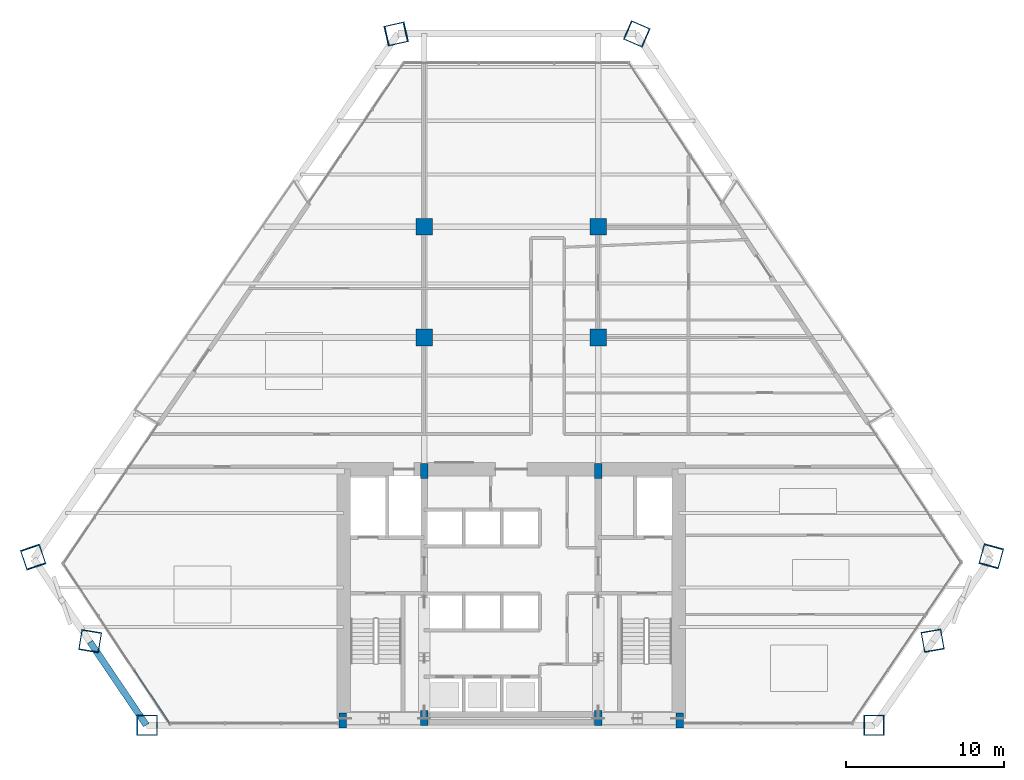
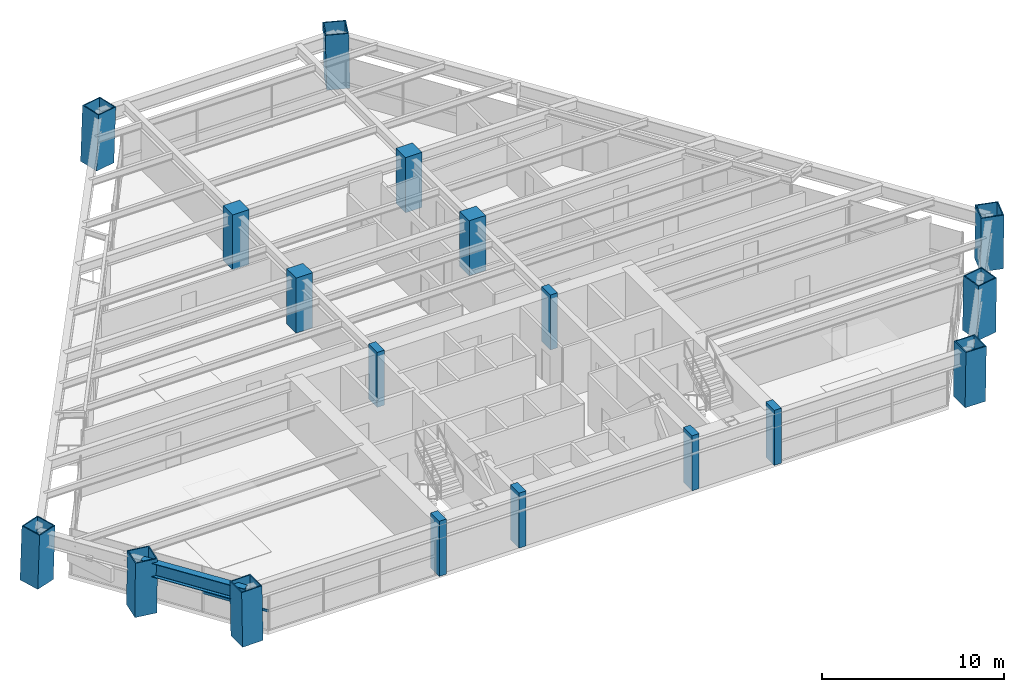
# One storey, part 1 of 15: 18 columns, 1 beam, 1 member, 1 element without a shape of its own.
"""IFC4 building model written with IfcOpenShell, lengths in metres."""

from ifc_helpers import new_model, si_unit, direction, frame, origin, origin_2d, place, context, subcontext, project, spatial, rectangle, hollow_rectangle, i_section, extrude, source, transform, mapped, material, material_profile, profile_set, type_object, element, aggregate, save


model = new_model("IFC4")

# Units and contexts
model_context = context("Model", 3, precision=1e-05, world=origin(), true_north=direction((0.0, 1.0)))
body_context = subcontext(model_context, "Body", "Model", "MODEL_VIEW")
ifc_project = project(units=[si_unit("LENGTHUNIT", "METRE"), si_unit("AREAUNIT", "SQUARE_METRE"), si_unit("VOLUMEUNIT", "CUBIC_METRE"), si_unit("PLANEANGLEUNIT", "RADIAN"), si_unit("MASSUNIT", "GRAM", prefix="KILO")], contexts=[model_context])

# Site, building, storey
site_placement = place(None, origin())
site = spatial("IfcSite", under=ifc_project, at=site_placement, CompositionType="ELEMENT")
building_placement = place(site_placement, origin())
building = spatial("IfcBuilding", under=site, at=building_placement, Name="Varnakhor Terracotta Tower", CompositionType="ELEMENT")
storey_placement = place(building_placement, frame((0.0, 0.0, 57.10009765625)))
storey = spatial("IfcBuildingStorey", under=building, at=storey_placement, Name="L13", CompositionType="ELEMENT", Elevation=57.10009765625)

# Columns
ifc_material_1 = material(Name="Concrete C50/60", Category="concrete")
ifc_material_profile_1 = material_profile(ifc_material_1, rectangle(XDim=0.449951171875, YDim=0.949951171875, at=origin_2d()), Name="RC PILASTER 950x450")
ifc_profile_set_1 = profile_set([ifc_material_profile_1], Name="Concrete C50/60")
column_type_1 = type_object("IfcColumnType", Name="COL-PIL-950x450", PredefinedType="PILASTER", material=ifc_profile_set_1)
shared_shape_1 = source(origin(), body_context, "Body", "SweptSolid", [
    extrude(rectangle(XDim=0.449951171875, YDim=0.949951171875, at=origin_2d()), origin(), (0.0, 0.0, 1.0), 3.699951171875),
])
for number, where, z_axis, x_axis, name in (
    (1, (-10.64990234375, 0.300048828125, 0.0), (0.0, 0.0, 1.0), (1.0, 0.0, 0.0), "L13 Core Pilaster CP1"),
    (2, (-5.5, 0.449951171875, 0.0), (0.0, 0.0, 1.0), (1.0, 0.0, 0.0), "L13 Core Pilaster CP2"),
    (3, (5.5, 0.449951171875, 0.0), (0.0, 0.0, 1.0), (1.0, 0.0, 0.0), "L13 Core Pilaster CP3"),
    (4, (10.64990234375, 0.300048828125, 0.0), (0.0, 0.0, 1.0), (1.0, 0.0, 0.0), "L13 Core Pilaster CP4"),
    (5, (-5.5, 16.050048828125, 0.0), (0.0, 0.0, 1.0), (1.0, 0.0, 0.0), "L13 Core Pilaster CP5"),
    (6, (5.5, 16.050048828125, 0.0), (0.0, 0.0, 1.0), (1.0, 0.0, 0.0), "L13 Core Pilaster CP6"),
):
    element("IfcColumn", number, at=place(storey_placement, frame(where, z_axis=z_axis, x_axis=x_axis)), inside=storey, type_object=column_type_1, Name=name, PredefinedType="PILASTER", context=body_context, shape_type="MappedRepresentation", body=[
        mapped(shared_shape_1, transform((0.0, 0.0, 0.0), scale=1.0)),
    ])
ifc_material_2 = material(Name="Steel S460", Category="steel")
ifc_material_profile_2 = material_profile(ifc_material_2, hollow_rectangle(XDim=1.300048828125, YDim=1.300048828125, WallThickness=0.06494140625, at=origin_2d()), Name="BOX 1300x1300x65")
ifc_profile_set_2 = profile_set([ifc_material_profile_2], Name="Steel S460")
column_type_2 = type_object("IfcColumnType", Name="COL-MEGA-1300", PredefinedType="COLUMN", material=ifc_profile_set_2)
shared_shape_2 = source(origin(), body_context, "Body", "SweptSolid", [
    extrude(hollow_rectangle(XDim=1.300048828125, YDim=1.300048828125, WallThickness=0.06494140625, at=origin_2d()), origin(), (0.0, 0.0, 1.0), 3.691650390625),
])
for number, where, z_axis, x_axis, name in (
    (7, (-22.998046875, 0.0, 0.00439453125), (-0.017392699084, 0.0, 0.999848735569), (0.0, -1.0, 0.0), "L13 Perimeter Mega-Column M1"),
    (8, (22.92138671875, 0.0, 0.00439453125), (0.014880288943, 0.0, 0.999889282371), (0.0, 1.0, 0.0), "L13 Perimeter Mega-Column M2"),
    (9, (26.63232421875, 5.347900390625, 0.00439453125), (0.002909838461, -0.016467040384, 0.999860174935), (0.984743719612, 0.174010938405, 0.0), "L13 Perimeter Mega-Column M3"),
    (10, (-26.610107421875, 5.320068359375, 0.00439453125), (-0.00284365846, -0.017458740311, 0.999843540757), (0.98699347795, -0.160760301333, 0.0), "L13 Perimeter Mega-Column M8"),
):
    element("IfcColumn", number, at=place(storey_placement, frame(where, z_axis=z_axis, x_axis=x_axis)), inside=storey, type_object=column_type_2, Name=name, PredefinedType="COLUMN", context=body_context, shape_type="MappedRepresentation", body=[
        mapped(shared_shape_2, transform((0.0, 0.0, 0.0), scale=1.0)),
    ])
shared_shape_3 = source(origin(), body_context, "Body", "SweptSolid", [
    extrude(hollow_rectangle(XDim=1.300048828125, YDim=1.300048828125, WallThickness=0.06494140625, at=origin_2d()), origin(), (0.0, 0.0, 1.0), 3.693359375),
])
column_1_placement = place(storey_placement, frame((30.343505859375, 10.696044921875, 0.00439453125), z_axis=(-0.009122220946, -0.033051525168, 0.999412018023), x_axis=(0.963958525566, -0.266052553056, 0.0)))
element("IfcColumn", 11, at=column_1_placement, inside=storey, type_object=column_type_2, Name="L13 Perimeter Mega-Column M4", PredefinedType="COLUMN", context=body_context, shape_type="MappedRepresentation", body=[
    mapped(shared_shape_3, transform((0.0, 0.0, 0.0), scale=1.0)),
])
ifc_material_3 = material(Name="Concrete C60/75", Category="concrete")
ifc_material_profile_3 = material_profile(ifc_material_3, rectangle(XDim=1.050048828125, YDim=1.050048828125, at=origin_2d()), Name="RC 1050x1050")
ifc_profile_set_3 = profile_set([ifc_material_profile_3], Name="Concrete C60/75")
column_type_3 = type_object("IfcColumnType", Name="COL-RC-1050", PredefinedType="COLUMN", material=ifc_profile_set_3)
shared_shape_4 = source(origin(), body_context, "Body", "SweptSolid", [
    extrude(rectangle(XDim=1.050048828125, YDim=1.050048828125, at=origin_2d()), origin(), (0.0, 0.0, 1.0), 3.699951171875),
])
for number, where, z_axis, x_axis, name in (
    (12, (-5.5, 24.5, 0.0), (0.0, 0.0, 1.0), (1.0, 0.0, 0.0), "L13 Interior Tower Column IC1"),
    (13, (5.5, 24.5, 0.0), (0.0, 0.0, 1.0), (1.0, 0.0, 0.0), "L13 Interior Tower Column IC2"),
    (14, (-5.5, 31.5, 0.0), (0.0, 0.0, 1.0), (1.0, 0.0, 0.0), "L13 Interior Tower Column IC3"),
    (15, (5.5, 31.5, 0.0), (0.0, 0.0, 1.0), (1.0, 0.0, 0.0), "L13 Interior Tower Column IC4"),
):
    element("IfcColumn", number, at=place(storey_placement, frame(where, z_axis=z_axis, x_axis=x_axis)), inside=storey, type_object=column_type_3, Name=name, PredefinedType="COLUMN", context=body_context, shape_type="MappedRepresentation", body=[
        mapped(shared_shape_4, transform((0.0, 0.0, 0.0), scale=1.0)),
    ])
shared_shape_5 = source(origin(), body_context, "Body", "SweptSolid", [
    extrude(hollow_rectangle(XDim=1.300048828125, YDim=1.300048828125, WallThickness=0.06494140625, at=origin_2d()), origin(), (0.0, 0.0, 1.0), 3.692138671875),
])
column_2_placement = place(storey_placement, frame((7.948486328125, 43.68017578125, 0.00439453125), z_axis=(-0.020234518846, 0.008728615973, 0.999757158269), x_axis=(-0.396091111435, -0.918211212871, 0.0)))
element("IfcColumn", 16, at=column_2_placement, inside=storey, type_object=column_type_2, Name="L13 Perimeter Mega-Column M5", PredefinedType="COLUMN", context=body_context, shape_type="MappedRepresentation", body=[
    mapped(shared_shape_5, transform((0.0, 0.0, 0.0), scale=1.0)),
])
shared_shape_6 = source(origin(), body_context, "Body", "SweptSolid", [
    extrude(hollow_rectangle(XDim=1.300048828125, YDim=1.300048828125, WallThickness=0.06494140625, at=origin_2d()), origin(), (0.0, 0.0, 1.0), 3.693603515625),
])
column_3_placement = place(storey_placement, frame((-30.222412109375, 10.64013671875, 0.00439453125), z_axis=(0.011831366052, -0.034899225002, 0.99932080078), x_axis=(0.947056635695, 0.321066548844, 0.0)))
element("IfcColumn", 17, at=column_3_placement, inside=storey, type_object=column_type_2, Name="L13 Perimeter Mega-Column M7", PredefinedType="COLUMN", context=body_context, shape_type="MappedRepresentation", body=[
    mapped(shared_shape_6, transform((0.0, 0.0, 0.0), scale=1.0)),
])
shared_shape_7 = source(origin(), body_context, "Body", "SweptSolid", [
    extrude(hollow_rectangle(XDim=1.300048828125, YDim=1.300048828125, WallThickness=0.06494140625, at=origin_2d()), origin(), (0.0, 0.0, 1.0), 3.694091796875),
])
column_4_placement = place(storey_placement, frame((-7.2958984375, 43.68017578125, 0.00439453125), z_axis=(0.038596640335, 0.008723898158, 0.999216789769), x_axis=(-0.220465920379, 0.975394678041, 0.0)))
element("IfcColumn", 18, at=column_4_placement, inside=storey, type_object=column_type_2, Name="L13 Perimeter Mega-Column M6", PredefinedType="COLUMN", context=body_context, shape_type="MappedRepresentation", body=[
    mapped(shared_shape_7, transform((0.0, 0.0, 0.0), scale=1.0)),
])

# Beam
ifc_material_4 = material(Name="Steel S355", Category="steel")
ifc_material_profile_4 = material_profile(ifc_material_4, i_section(OverallWidth=0.41796875, OverallDepth=0.927001953125, WebThickness=0.01904296875, FlangeThickness=0.031982421875, FilletRadius=0.01806640625, at=origin_2d()), Name="W36X231")
ifc_profile_set_4 = profile_set([ifc_material_profile_4], Name="Steel S355")
beam_type = type_object("IfcBeamType", Name="BM-W36X231", PredefinedType="BEAM", material=ifc_profile_set_4)
shared_shape_8 = source(origin(), body_context, "Body", "SweptSolid", [
    extrude(i_section(OverallWidth=0.41796875, OverallDepth=0.927001953125, WebThickness=0.01904296875, FlangeThickness=0.031982421875, FilletRadius=0.01806640625, at=origin_2d()), origin(), (0.0, 0.0, 1.0), 6.346923828125),
])
beam_placement = place(storey_placement, frame((-26.62060546875, 5.255615234375, 2.986328125), z_axis=(0.560642298942, -0.82805809738, 0.0), x_axis=(0.82805809738, 0.560642298942, 0.0)))
element("IfcBeam", 19, at=beam_placement, inside=storey, type_object=beam_type, Name="L13 Perimeter Spandrel 8", PredefinedType="BEAM", context=body_context, shape_type="MappedRepresentation", body=[
    mapped(shared_shape_8, transform((0.0, 0.0, 0.0), scale=1.0)),
])

# Curtain wall, member
ifc_material_5 = material(Name="Anodised Aluminium Curtain Wall System", Category="aluminium")
curtain_wall_type = type_object("IfcCurtainWallType", Name="CW-SYS-LOW-OFFICE", PredefinedType="NOTDEFINED", material=ifc_material_5)
curtain_wall_placement = place(storey_placement, origin())
curtain_wall = element("IfcCurtainWall", 20, at=curtain_wall_placement, inside=storey, type_object=curtain_wall_type, Name="L13 Facet Curtain Wall 6", PredefinedType="NOTDEFINED")
ifc_material_6 = material(Name="Anodised Aluminium 6063-T6", Category="aluminium")
ifc_material_profile_5 = material_profile(ifc_material_6, rectangle(XDim=0.074951171875, YDim=0.1650390625, at=origin_2d()), Name="ALU TRANSOM 75x165")
ifc_profile_set_5 = profile_set([ifc_material_profile_5], Name="Anodised Aluminium 6063-T6")
member_type = type_object("IfcMemberType", Name="CWT-02", PredefinedType="USERDEFINED", material=ifc_profile_set_5)
shared_shape_9 = source(origin(), body_context, "Body", "SweptSolid", [
    extrude(rectangle(XDim=0.074951171875, YDim=0.1650390625, at=origin_2d()), origin(), (0.0, 0.0, 1.0), 4.072265625),
])
member_placement = place(storey_placement, frame((-21.5693359375, 0.09130859375, 1.2724609375), z_axis=(-0.553662123984, 0.83274140792, 0.0), x_axis=(-0.83274140792, -0.553662123984, 0.0)))
member = element("IfcMember", 21, at=member_placement, type_object=member_type, Name="L13 Facet Curtain Wall 6 Transom 1", ObjectType="TRANSOM", PredefinedType="USERDEFINED", context=body_context, shape_type="MappedRepresentation", body=[
    mapped(shared_shape_9, transform((0.0, 0.0, 0.0), scale=1.0)),
])
aggregate(curtain_wall, [member])

save(model, "model.ifc")
